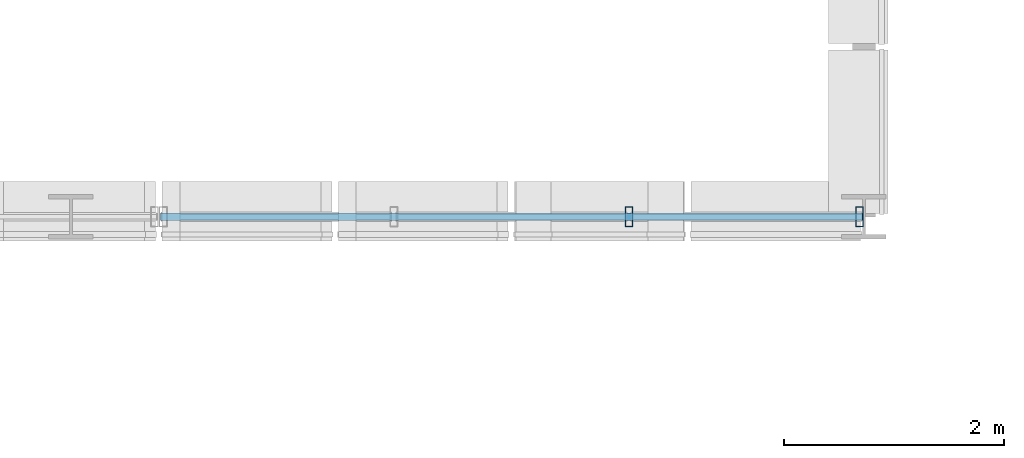
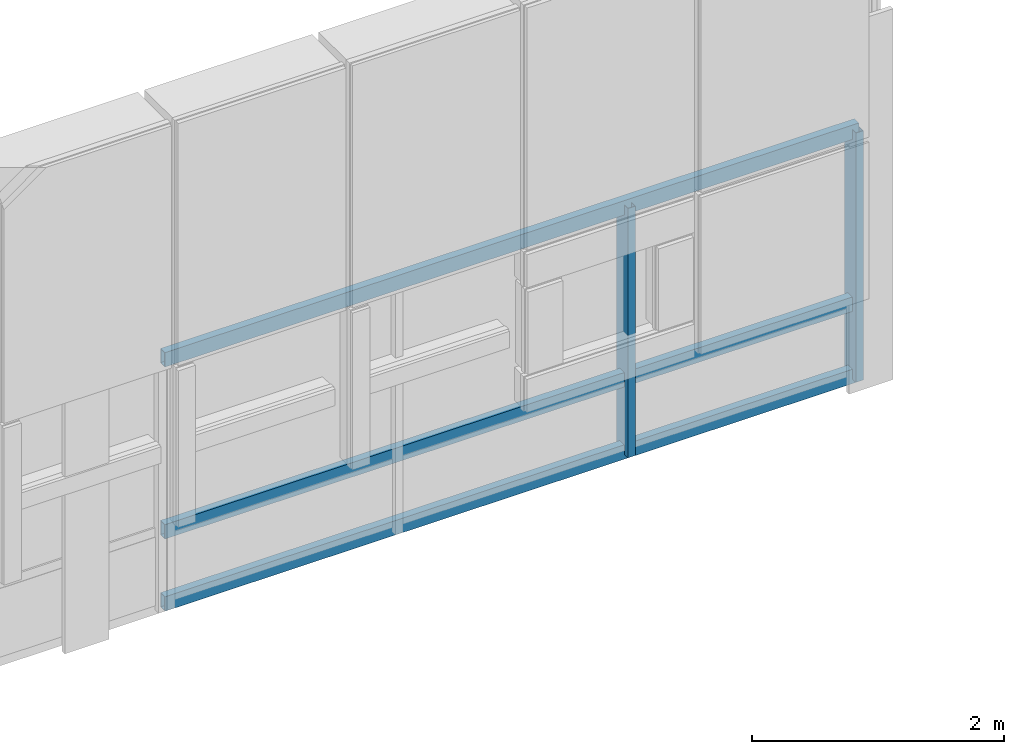
# One storey, part 12 of 96: 5 members, 1 element without a shape of its own.
"""IFC4 building model written with IfcOpenShell, lengths in metres."""

from ifc_helpers import new_model, si_unit, direction, frame, origin, origin_2d, place, context, subcontext, project, spatial, hollow_rectangle, extrude, material, material_profile, profile_set, type_object, element, aggregate, save


model = new_model("IFC4")

# Units and contexts
model_context = context("Model", 3, precision=1e-05, world=origin(), true_north=direction((0.0, 1.0)))
body_context = subcontext(model_context, "Body", "Model", "MODEL_VIEW")
ifc_project = project(units=[si_unit("LENGTHUNIT", "METRE"), si_unit("AREAUNIT", "SQUARE_METRE"), si_unit("VOLUMEUNIT", "CUBIC_METRE"), si_unit("PLANEANGLEUNIT", "RADIAN"), si_unit("MASSUNIT", "GRAM", prefix="KILO")], contexts=[model_context])

# Site, building, storey
site_placement = place(None, origin())
site = spatial("IfcSite", under=ifc_project, at=site_placement, CompositionType="ELEMENT")
building_placement = place(site_placement, origin())
building = spatial("IfcBuilding", under=site, at=building_placement, Name="Yarey Park Central Fire Station", CompositionType="ELEMENT")
storey_placement = place(building_placement, frame((0.0, 0.0, 14.39990234375)))
storey = spatial("IfcBuildingStorey", under=building, at=storey_placement, Name="L04", CompositionType="ELEMENT", Elevation=14.39990234375)

# Curtain wall, members
ifc_material = material(Name="Anodized Aluminium Frame", Category="aluminium")
curtain_wall_type = type_object("IfcCurtainWallType", Name="ENV_CW_V3_OVR2", PredefinedType="NOTDEFINED", material=ifc_material)
curtain_wall_placement = place(storey_placement, origin())
curtain_wall = element("IfcCurtainWall", 1, at=curtain_wall_placement, inside=storey, type_object=curtain_wall_type, Name="CW_L04_DRUM_S_067", PredefinedType="NOTDEFINED")
ifc_material_profile_1 = material_profile(ifc_material, hollow_rectangle(XDim=0.070068359375, YDim=0.179931640625, WallThickness=0.00390625, at=origin_2d()), Name="ALU 180x70x4")
ifc_profile_set_1 = profile_set([ifc_material_profile_1], Name="Anodized Aluminium Frame")
member_type_1 = type_object("IfcMemberType", Name="ENV_CW_MULLION", PredefinedType="MULLION", material=ifc_profile_set_1)
member_1_placement = place(storey_placement, frame((26.666748046875, 21.60009765625, 0.0), z_axis=(0.0, 0.0, 1.0), x_axis=(1.0, 0.0, 0.0)))
member_1 = element("IfcMember", 2, at=member_1_placement, type_object=member_type_1, Name="CW_L04_DRUM_S_067_MUL3", PredefinedType="MULLION", context=body_context, shape_type="SweptSolid", body=[
    extrude(hollow_rectangle(XDim=0.070068359375, YDim=0.179931640625, WallThickness=0.00390625, at=origin_2d()), origin(), (0.0, 0.0, 1.0), 2.420166015625),
])
member_2_placement = place(storey_placement, frame((28.760009765625, 21.60009765625, 0.0), z_axis=(0.0, 0.0, 1.0), x_axis=(1.0, 0.0, 0.0)))
member_2 = element("IfcMember", 3, at=member_2_placement, type_object=member_type_1, Name="CW_L04_DRUM_S_067_MUL4", PredefinedType="MULLION", context=body_context, shape_type="SweptSolid", body=[
    extrude(hollow_rectangle(XDim=0.070068359375, YDim=0.179931640625, WallThickness=0.00390625, at=origin_2d()), origin(), (0.0, 0.0, 1.0), 2.420166015625),
])
ifc_material_profile_2 = material_profile(ifc_material, hollow_rectangle(XDim=0.070068359375, YDim=0.139892578125, WallThickness=0.00390625, at=origin_2d()), Name="ALU 140x70x4")
ifc_profile_set_2 = profile_set([ifc_material_profile_2], Name="Anodized Aluminium Frame")
member_type_2 = type_object("IfcMemberType", Name="ENV_CW_TRANSOM", PredefinedType="USERDEFINED", material=ifc_profile_set_2)
member_3_placement = place(storey_placement, frame((22.4150390625, 21.60009765625, 0.025146484375), z_axis=(1.0, 0.0, 0.0), x_axis=(0.0, 1.0, 0.0)))
member_3 = element("IfcMember", 4, at=member_3_placement, type_object=member_type_2, Name="CW_L04_DRUM_S_067_TRN1", ObjectType="TRANSOM", PredefinedType="USERDEFINED", context=body_context, shape_type="SweptSolid", body=[
    extrude(hollow_rectangle(XDim=0.070068359375, YDim=0.139892578125, WallThickness=0.00390625, at=origin_2d()), origin(), (0.0, 0.0, 1.0), 6.369873046875),
])
member_4_placement = place(storey_placement, frame((22.4150390625, 21.60009765625, 0.72607421875), z_axis=(1.0, 0.0, 0.0), x_axis=(0.0, 1.0, 0.0)))
member_4 = element("IfcMember", 5, at=member_4_placement, type_object=member_type_2, Name="CW_L04_DRUM_S_067_TRN2", ObjectType="TRANSOM", PredefinedType="USERDEFINED", context=body_context, shape_type="SweptSolid", body=[
    extrude(hollow_rectangle(XDim=0.070068359375, YDim=0.139892578125, WallThickness=0.00390625, at=origin_2d()), origin(), (0.0, 0.0, 1.0), 6.369873046875),
])
member_5_placement = place(storey_placement, frame((22.4150390625, 21.60009765625, 2.39501953125), z_axis=(1.0, 0.0, 0.0), x_axis=(0.0, 1.0, 0.0)))
member_5 = element("IfcMember", 6, at=member_5_placement, type_object=member_type_2, Name="CW_L04_DRUM_S_067_TRN3", ObjectType="TRANSOM", PredefinedType="USERDEFINED", context=body_context, shape_type="SweptSolid", body=[
    extrude(hollow_rectangle(XDim=0.070068359375, YDim=0.139892578125, WallThickness=0.00390625, at=origin_2d()), origin(), (0.0, 0.0, 1.0), 6.369873046875),
])
aggregate(curtain_wall, [member_1, member_2, member_3, member_4, member_5])

save(model, "model.ifc")
